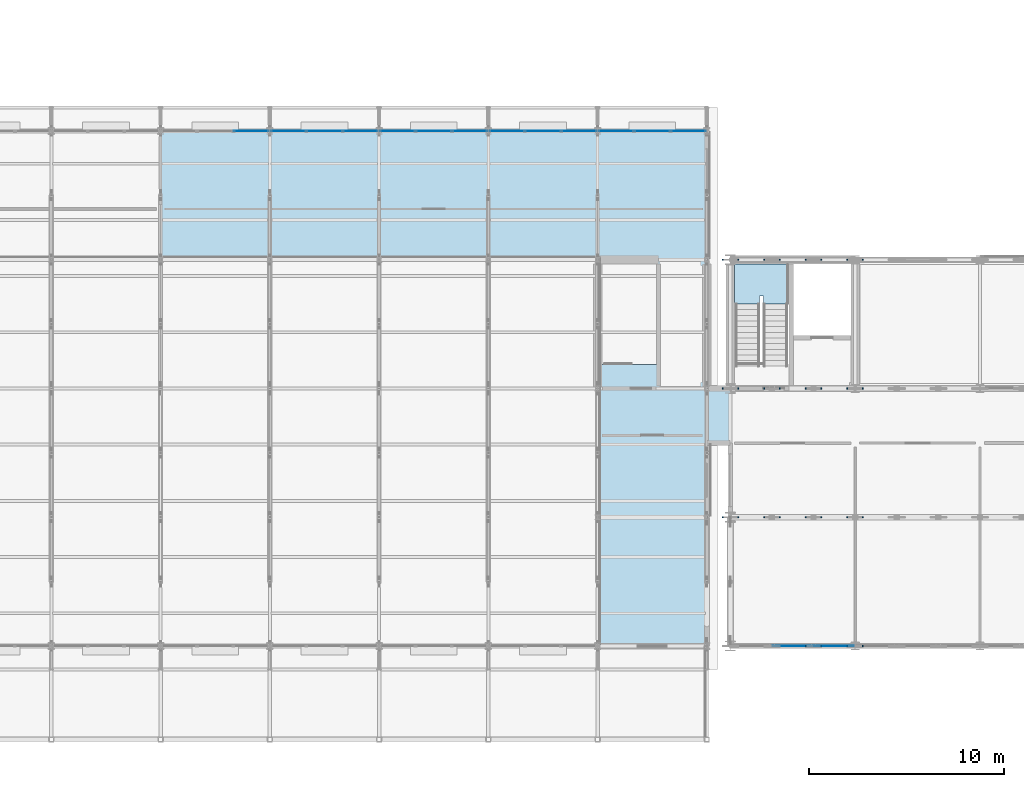
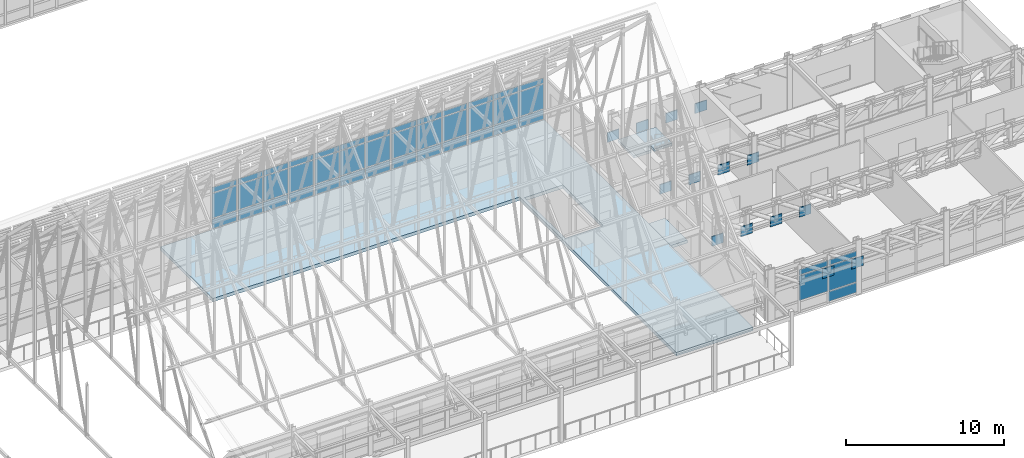
# One storey, part 93 of 144: 58 plates, 3 slabs, 7 elements without a shape of their own.
"""IFC4 building model written with IfcOpenShell, lengths in metres."""

import ifcopenshell
import ifcopenshell.guid

model = None  # the IFC model being written
_history = None  # IfcOwnerHistory: only IFC2X3 demands one
_inside = {}  # id of a spatial element -> (the spatial element, [elements in it])
_under = {}  # id of a project, library or spatial element -> (it, [spatial elements below it])
_declared = {}  # id of a project -> (the project, [libraries it declares])
_typed = {}  # id of a type object -> (the type object, [elements of that type])
_made_of = {}  # id of a material, layer set ... -> (it, [elements and type objects made of it])


def new_model(schema):
    """Start an empty IFC model of exactly this schema.

    Asked for "IFC4X3", IfcOpenShell would pick the latest addendum, in which some entities
    have other attributes; the version numbers below select the first issue.
    IFC2X3 requires an IfcOwnerHistory on every rooted entity: one is made here for all.
    """
    global model, _history
    if schema == "IFC4X3":
        model = ifcopenshell.file(schema_version=(4, 3, 0, 0))
    else:
        model = ifcopenshell.file(schema=schema)
    _inside.clear()
    _under.clear()
    _declared.clear()
    _typed.clear()
    _made_of.clear()
    _history = None
    if model.schema == "IFC2X3":
        org = make("IfcOrganization", Name="unknown")
        user = make(
            "IfcPersonAndOrganization",
            ThePerson=make("IfcPerson", FamilyName="unknown"),
            TheOrganization=org,
        )
        app = make(
            "IfcApplication",
            ApplicationDeveloper=org,
            Version="unknown",
            ApplicationFullName="unknown",
            ApplicationIdentifier="unknown",
        )
        _history = make(
            "IfcOwnerHistory",
            OwningUser=user,
            OwningApplication=app,
            ChangeAction="ADDED",
            CreationDate=0,
        )
    return model


def make(cls, **values):
    """One entity of the class cls with the attributes given. An attribute that is None is left unset."""
    return model.create_entity(
        cls, **{name: value for name, value in values.items() if value is not None}
    )


def rooted(cls, **values):
    """An entity with a GlobalId (a new one), such as an element, a storey or a relation."""
    return make(cls, GlobalId=ifcopenshell.guid.new(), OwnerHistory=_history, **values)


def si_unit(unit_type, name, prefix=None):
    """IfcSIUnit, for example si_unit("LENGTHUNIT", "METRE", prefix="MILLI")."""
    return make("IfcSIUnit", UnitType=unit_type, Prefix=prefix, Name=name)


def assignment(units):
    """IfcUnitAssignment: the units of a project."""
    return None if units is None else make("IfcUnitAssignment", Units=units)


def point(xyz):
    """IfcCartesianPoint."""
    return None if xyz is None else make("IfcCartesianPoint", Coordinates=xyz)


def direction(xyz):
    """IfcDirection."""
    return None if xyz is None else make("IfcDirection", DirectionRatios=xyz)


def frame(location, z_axis=None, x_axis=None):
    """IfcAxis2Placement3D, a coordinate frame: its origin and axes. An axis left out is left unset."""
    return make(
        "IfcAxis2Placement3D",
        Location=point(location),
        Axis=direction(z_axis),
        RefDirection=direction(x_axis),
    )


def frame_2d(location, x_axis=None):
    """IfcAxis2Placement2D, a coordinate frame in the plane: its origin and x axis."""
    return make(
        "IfcAxis2Placement2D", Location=point(location), RefDirection=direction(x_axis)
    )


def origin():
    """The frame at (0, 0, 0) with its axes left unset."""
    return frame((0.0, 0.0, 0.0))


def origin_2d():
    """The frame at (0, 0) in the plane with its x axis left unset."""
    return frame_2d((0.0, 0.0))


def place(relative_to, where):
    """IfcLocalPlacement: puts the frame where relative to a parent placement (None: the world)."""
    return make(
        "IfcLocalPlacement", PlacementRelTo=relative_to, RelativePlacement=where
    )


def context(
    kind, dimensions, precision=None, world=None, true_north=None, identifier=None
):
    """IfcGeometricRepresentationContext, for example the 3D "Model" context."""
    return make(
        "IfcGeometricRepresentationContext",
        ContextIdentifier=identifier,
        ContextType=kind,
        CoordinateSpaceDimension=dimensions,
        Precision=precision,
        WorldCoordinateSystem=world,
        TrueNorth=true_north,
    )


def subcontext(parent, identifier, kind, view, scale=None):
    """IfcGeometricRepresentationSubContext, for example "Body" below "Model"."""
    return make(
        "IfcGeometricRepresentationSubContext",
        ContextIdentifier=identifier,
        ContextType=kind,
        ParentContext=parent,
        TargetScale=scale,
        TargetView=view,
    )


def project(units=None, contexts=None):
    """IfcProject with its units and contexts."""
    return rooted(
        "IfcProject",
        Name="project",
        RepresentationContexts=contexts,
        UnitsInContext=assignment(units),
    )


def spatial(cls, under=None, at=None, **own):
    """A site, building, storey or space (cls), placed at a placement, below another one or the project."""
    s = rooted(cls, ObjectPlacement=at, **own)
    if under is not None:
        _under.setdefault(under.id(), (under, []))[1].append(s)
    return s


def polyline(points):
    """IfcPolyline through the points."""
    return make("IfcPolyline", Points=[point(p) for p in points])


def profile(cls, at=None, kind="AREA", **sizes):
    """A parametric profile (cls). Its sizes go by their IFC names, for example OverallWidth=200.0."""
    return make(cls, ProfileType=kind, Position=at, **sizes)


def rectangle(**sizes):
    """IfcRectangleProfileDef."""
    return profile("IfcRectangleProfileDef", **sizes)


def outline(outer, holes=None, kind="AREA"):
    """IfcArbitraryClosedProfileDef: a profile drawn as a closed curve; with holes, ...WithVoids."""
    if holes is None:
        return make("IfcArbitraryClosedProfileDef", ProfileType=kind, OuterCurve=outer)
    return make(
        "IfcArbitraryProfileDefWithVoids",
        ProfileType=kind,
        OuterCurve=outer,
        InnerCurves=holes,
    )


def extrude(swept, where, along, depth):
    """IfcExtrudedAreaSolid: the profile swept, set in the frame where, extruded along a direction by depth."""
    return make(
        "IfcExtrudedAreaSolid",
        SweptArea=swept,
        Position=where,
        ExtrudedDirection=direction(along),
        Depth=depth,
    )


def shape(context_of_items, identifier, shape_type, items):
    """IfcShapeRepresentation: the items that make up one representation, for example the "Body"."""
    return make(
        "IfcShapeRepresentation",
        ContextOfItems=context_of_items,
        RepresentationIdentifier=identifier,
        RepresentationType=shape_type,
        Items=items,
    )


def material(Name=None, Category=None):
    """IfcMaterial."""
    return make("IfcMaterial", Name=Name, Category=Category)


def layer(
    of_material, thickness, ventilated=None, Name=None, Category=None, Priority=None
):
    """IfcMaterialLayer: one layer of a wall or slab, of a material (None: an air gap)."""
    return make(
        "IfcMaterialLayer",
        Material=of_material,
        LayerThickness=thickness,
        IsVentilated=ventilated,
        Name=Name,
        Category=Category,
        Priority=Priority,
    )


def layer_set(layers, Name=None):
    """IfcMaterialLayerSet."""
    return make("IfcMaterialLayerSet", MaterialLayers=layers, LayerSetName=Name)


def made_of(thing, what):
    """Note that an element or type object is made of a material, layer set ...; save() writes the relation."""
    if what is not None:
        _made_of.setdefault(what.id(), (what, []))[1].append(thing)
    return thing


def type_object(cls, material=None, **own):
    """A type object (cls), such as IfcWallType, which elements share."""
    return made_of(rooted(cls, **own), material)


def element(
    cls,
    number,
    at=None,
    inside=None,
    cuts=None,
    type_object=None,
    material=None,
    context=None,
    identifier="Body",
    shape_type=None,
    held_by="IfcProductDefinitionShape",
    body=None,
    shapes=None,
    **own,
):
    """One element of the class cls, such as IfcWall. Its Tag is "e" and its number.

    at: its placement. inside: the storey or other place that contains it. cuts: it is an
    opening in that element (IfcRelVoidsElement). A single representation is given by context,
    identifier, shape_type and body (its items); several are given by shapes. held_by: the class
    of the entity that holds the representations. save() writes the other relations.
    """
    e = rooted(cls, Tag="e%d" % number, ObjectPlacement=at, **own)
    if body is not None:
        shapes = [shape(context, identifier, shape_type, body)]
    if shapes is not None:
        e.Representation = make(held_by, Representations=shapes)
    if inside is not None:
        _inside.setdefault(inside.id(), (inside, []))[1].append(e)
    if cuts is not None:
        rooted(
            "IfcRelVoidsElement", RelatingBuildingElement=cuts, RelatedOpeningElement=e
        )
    if type_object is not None:
        _typed.setdefault(type_object.id(), (type_object, []))[1].append(e)
    return made_of(e, material)


def aggregate(whole, parts):
    """IfcRelAggregates: a whole, such as a stair, and the parts it consists of."""
    return rooted("IfcRelAggregates", RelatingObject=whole, RelatedObjects=parts)


def save(model, path):
    """Write the relations noted so far, then the file.

    IfcRelAggregates (storeys below a building ...), IfcRelContainedInSpatialStructure (elements
    in a storey), IfcRelDefinesByType, IfcRelAssociatesMaterial and IfcRelDeclares: one each for
    every whole, place, type object, material and project.
    """
    for whole, parts in _under.values():
        aggregate(whole, parts)
    for where, things in _inside.values():
        rooted(
            "IfcRelContainedInSpatialStructure",
            RelatedElements=things,
            RelatingStructure=where,
        )
    for kind, things in _typed.values():
        rooted("IfcRelDefinesByType", RelatedObjects=things, RelatingType=kind)
    for what, things in _made_of.values():
        rooted("IfcRelAssociatesMaterial", RelatedObjects=things, RelatingMaterial=what)
    for by, libraries in _declared.values():
        rooted("IfcRelDeclares", RelatingContext=by, RelatedDefinitions=libraries)
    model.write(path)


model = new_model("IFC4")

# Units and contexts
model_context = context("Model", 3, precision=1e-05, world=origin(), true_north=direction((0.0, 1.0)))
body_context = subcontext(model_context, "Body", "Model", "MODEL_VIEW")
ifc_project = project(units=[si_unit("LENGTHUNIT", "METRE"), si_unit("AREAUNIT", "SQUARE_METRE"), si_unit("VOLUMEUNIT", "CUBIC_METRE"), si_unit("PLANEANGLEUNIT", "RADIAN"), si_unit("MASSUNIT", "GRAM", prefix="KILO")], contexts=[model_context])

# Site, building, storey
site_placement = place(None, origin())
site = spatial("IfcSite", under=ifc_project, at=site_placement, CompositionType="ELEMENT")
building_placement = place(site_placement, origin())
building = spatial("IfcBuilding", under=site, at=building_placement, Name="Trelmorton Wharf Fire Station", CompositionType="ELEMENT")
storey_placement = place(building_placement, frame((0.0, 0.0, 5.39990234375)))
storey = spatial("IfcBuildingStorey", under=building, at=storey_placement, Name="L01", CompositionType="ELEMENT", Elevation=5.39990234375)

# Curtain wall, plates
ifc_material_1 = material(Name="Anodised aluminium AW-6063", Category="aluminium")
ifc_layer_1 = layer(ifc_material_1, 0.175048828125)
ifc_layer_set_1 = layer_set([ifc_layer_1], Name="Anodised aluminium AW-6063")
curtain_wall_type_1 = type_object("IfcCurtainWallType", Name="CW_CHIC_B", PredefinedType="USERDEFINED", material=ifc_layer_set_1)
curtain_wall_1_placement = place(storey_placement, origin())
curtain_wall_1 = element("IfcCurtainWall", 1, at=curtain_wall_1_placement, inside=storey, type_object=curtain_wall_type_1, Name="CW-V1-L01-014", ObjectType="CHICAGO BAY CURTAIN WALL", PredefinedType="USERDEFINED")
ifc_material_2 = material(Name="Tempered low-E double glazing", Category="glass")
ifc_layer_2 = layer(ifc_material_2, 0.028076171875)
ifc_layer_set_2 = layer_set([ifc_layer_2], Name="Tempered low-E double glazing")
plate_type_1 = type_object("IfcPlateType", Name="CWP_GLAZ_28", PredefinedType="CURTAIN_PANEL", material=ifc_layer_set_2)
plate_1_placement = place(storey_placement, frame((33.4482421875, 34.199951171875, 0.06005859375), z_axis=(0.0, 0.0, 1.0), x_axis=(1.0, 0.0, 0.0)))
plate_1 = element("IfcPlate", 2, at=plate_1_placement, type_object=plate_type_1, Name="CW2 panel 3.1", PredefinedType="CURTAIN_PANEL", context=body_context, shape_type="SweptSolid", body=[
    extrude(rectangle(XDim=1.7734375, YDim=0.028076171875, at=origin_2d()), origin(), (0.0, 0.0, 1.0), 0.760009765625),
])
plate_2_placement = place(storey_placement, frame((33.4482421875, 34.199951171875, 0.88037109375), z_axis=(0.0, 0.0, 1.0), x_axis=(1.0, 0.0, 0.0)))
plate_2 = element("IfcPlate", 3, at=plate_2_placement, type_object=plate_type_1, Name="CW2 panel 3.2", PredefinedType="CURTAIN_PANEL", context=body_context, shape_type="SweptSolid", body=[
    extrude(rectangle(XDim=1.7734375, YDim=0.028076171875, at=origin_2d()), origin(), (0.0, 0.0, 1.0), 1.909912109375),
])
plate_3_placement = place(storey_placement, frame((33.4482421875, 34.199951171875, 2.85009765625), z_axis=(0.0, 0.0, 1.0), x_axis=(1.0, 0.0, 0.0)))
plate_3 = element("IfcPlate", 4, at=plate_3_placement, type_object=plate_type_1, Name="CW2 panel 3.3", PredefinedType="CURTAIN_PANEL", context=body_context, shape_type="SweptSolid", body=[
    extrude(rectangle(XDim=1.7734375, YDim=0.028076171875, at=origin_2d()), origin(), (0.0, 0.0, 1.0), 0.409912109375),
])
aggregate(curtain_wall_1, [plate_1, plate_2, plate_3])

curtain_wall_2_placement = place(storey_placement, origin())
curtain_wall_2 = element("IfcCurtainWall", 5, at=curtain_wall_2_placement, inside=storey, type_object=curtain_wall_type_1, Name="CW-V1-L01-016", ObjectType="CHICAGO BAY CURTAIN WALL", PredefinedType="USERDEFINED")
plate_4_placement = place(storey_placement, frame((40.95166015625, 34.199951171875, 0.06005859375), z_axis=(0.0, 0.0, 1.0), x_axis=(1.0, 0.0, 0.0)))
plate_4 = element("IfcPlate", 6, at=plate_4_placement, type_object=plate_type_1, Name="CW2 panel 1.1", PredefinedType="CURTAIN_PANEL", context=body_context, shape_type="SweptSolid", body=[
    extrude(rectangle(XDim=1.7734375, YDim=0.028076171875, at=origin_2d()), origin(), (0.0, 0.0, 1.0), 0.760009765625),
])
plate_5_placement = place(storey_placement, frame((40.95166015625, 34.199951171875, 0.88037109375), z_axis=(0.0, 0.0, 1.0), x_axis=(1.0, 0.0, 0.0)))
plate_5 = element("IfcPlate", 7, at=plate_5_placement, type_object=plate_type_1, Name="CW2 panel 1.2", PredefinedType="CURTAIN_PANEL", context=body_context, shape_type="SweptSolid", body=[
    extrude(rectangle(XDim=1.7734375, YDim=0.028076171875, at=origin_2d()), origin(), (0.0, 0.0, 1.0), 1.909912109375),
])
plate_6_placement = place(storey_placement, frame((40.95166015625, 34.199951171875, 2.85009765625), z_axis=(0.0, 0.0, 1.0), x_axis=(1.0, 0.0, 0.0)))
plate_6 = element("IfcPlate", 8, at=plate_6_placement, type_object=plate_type_1, Name="CW2 panel 1.3", PredefinedType="CURTAIN_PANEL", context=body_context, shape_type="SweptSolid", body=[
    extrude(rectangle(XDim=1.7734375, YDim=0.028076171875, at=origin_2d()), origin(), (0.0, 0.0, 1.0), 0.409912109375),
])
plate_7_placement = place(storey_placement, frame((42.800048828125, 34.199951171875, 0.06005859375), z_axis=(0.0, 0.0, 1.0), x_axis=(1.0, 0.0, 0.0)))
plate_7 = element("IfcPlate", 9, at=plate_7_placement, type_object=plate_type_1, Name="CW2 panel 2.1", PredefinedType="CURTAIN_PANEL", context=body_context, shape_type="SweptSolid", body=[
    extrude(rectangle(XDim=1.80322265625, YDim=0.028076171875, at=origin_2d()), origin(), (0.0, 0.0, 1.0), 0.760009765625),
])
plate_8_placement = place(storey_placement, frame((42.800048828125, 34.199951171875, 0.88037109375), z_axis=(0.0, 0.0, 1.0), x_axis=(1.0, 0.0, 0.0)))
plate_8 = element("IfcPlate", 10, at=plate_8_placement, type_object=plate_type_1, Name="CW2 panel 2.2", PredefinedType="CURTAIN_PANEL", context=body_context, shape_type="SweptSolid", body=[
    extrude(rectangle(XDim=1.80322265625, YDim=0.028076171875, at=origin_2d()), origin(), (0.0, 0.0, 1.0), 1.909912109375),
])
plate_9_placement = place(storey_placement, frame((42.800048828125, 34.199951171875, 2.85009765625), z_axis=(0.0, 0.0, 1.0), x_axis=(1.0, 0.0, 0.0)))
plate_9 = element("IfcPlate", 11, at=plate_9_placement, type_object=plate_type_1, Name="CW2 panel 2.3", PredefinedType="CURTAIN_PANEL", context=body_context, shape_type="SweptSolid", body=[
    extrude(rectangle(XDim=1.80322265625, YDim=0.028076171875, at=origin_2d()), origin(), (0.0, 0.0, 1.0), 0.409912109375),
])
plate_10_placement = place(storey_placement, frame((44.6484375, 34.199951171875, 0.06005859375), z_axis=(0.0, 0.0, 1.0), x_axis=(1.0, 0.0, 0.0)))
plate_10 = element("IfcPlate", 12, at=plate_10_placement, type_object=plate_type_1, Name="CW2 panel 3.1", PredefinedType="CURTAIN_PANEL", context=body_context, shape_type="SweptSolid", body=[
    extrude(rectangle(XDim=1.7734375, YDim=0.028076171875, at=origin_2d()), origin(), (0.0, 0.0, 1.0), 0.760009765625),
])
plate_11_placement = place(storey_placement, frame((44.6484375, 34.199951171875, 0.88037109375), z_axis=(0.0, 0.0, 1.0), x_axis=(1.0, 0.0, 0.0)))
plate_11 = element("IfcPlate", 13, at=plate_11_placement, type_object=plate_type_1, Name="CW2 panel 3.2", PredefinedType="CURTAIN_PANEL", context=body_context, shape_type="SweptSolid", body=[
    extrude(rectangle(XDim=1.7734375, YDim=0.028076171875, at=origin_2d()), origin(), (0.0, 0.0, 1.0), 1.909912109375),
])
plate_12_placement = place(storey_placement, frame((44.6484375, 34.199951171875, 2.85009765625), z_axis=(0.0, 0.0, 1.0), x_axis=(1.0, 0.0, 0.0)))
plate_12 = element("IfcPlate", 14, at=plate_12_placement, type_object=plate_type_1, Name="CW2 panel 3.3", PredefinedType="CURTAIN_PANEL", context=body_context, shape_type="SweptSolid", body=[
    extrude(rectangle(XDim=1.7734375, YDim=0.028076171875, at=origin_2d()), origin(), (0.0, 0.0, 1.0), 0.409912109375),
])
aggregate(curtain_wall_2, [plate_4, plate_5, plate_6, plate_7, plate_8, plate_9, plate_10, plate_11, plate_12])

curtain_wall_3_placement = place(storey_placement, origin())
curtain_wall_3 = element("IfcCurtainWall", 15, at=curtain_wall_3_placement, inside=storey, type_object=curtain_wall_type_1, Name="CW-V1-L01-017", ObjectType="CHICAGO BAY CURTAIN WALL", PredefinedType="USERDEFINED")
plate_13_placement = place(storey_placement, frame((46.5517578125, 34.199951171875, 0.06005859375), z_axis=(0.0, 0.0, 1.0), x_axis=(1.0, 0.0, 0.0)))
plate_13 = element("IfcPlate", 16, at=plate_13_placement, type_object=plate_type_1, Name="CW2 panel 1.1", PredefinedType="CURTAIN_PANEL", context=body_context, shape_type="SweptSolid", body=[
    extrude(rectangle(XDim=1.7734375, YDim=0.028076171875, at=origin_2d()), origin(), (0.0, 0.0, 1.0), 0.760009765625),
])
plate_14_placement = place(storey_placement, frame((46.5517578125, 34.199951171875, 0.88037109375), z_axis=(0.0, 0.0, 1.0), x_axis=(1.0, 0.0, 0.0)))
plate_14 = element("IfcPlate", 17, at=plate_14_placement, type_object=plate_type_1, Name="CW2 panel 1.2", PredefinedType="CURTAIN_PANEL", context=body_context, shape_type="SweptSolid", body=[
    extrude(rectangle(XDim=1.7734375, YDim=0.028076171875, at=origin_2d()), origin(), (0.0, 0.0, 1.0), 1.909912109375),
])
plate_15_placement = place(storey_placement, frame((46.5517578125, 34.199951171875, 2.85009765625), z_axis=(0.0, 0.0, 1.0), x_axis=(1.0, 0.0, 0.0)))
plate_15 = element("IfcPlate", 18, at=plate_15_placement, type_object=plate_type_1, Name="CW2 panel 1.3", PredefinedType="CURTAIN_PANEL", context=body_context, shape_type="SweptSolid", body=[
    extrude(rectangle(XDim=1.7734375, YDim=0.028076171875, at=origin_2d()), origin(), (0.0, 0.0, 1.0), 0.409912109375),
])
plate_16_placement = place(storey_placement, frame((48.39990234375, 34.199951171875, 0.06005859375), z_axis=(0.0, 0.0, 1.0), x_axis=(1.0, 0.0, 0.0)))
plate_16 = element("IfcPlate", 19, at=plate_16_placement, type_object=plate_type_1, Name="CW2 panel 2.1", PredefinedType="CURTAIN_PANEL", context=body_context, shape_type="SweptSolid", body=[
    extrude(rectangle(XDim=1.80322265625, YDim=0.028076171875, at=origin_2d()), origin(), (0.0, 0.0, 1.0), 0.760009765625),
])
plate_17_placement = place(storey_placement, frame((48.39990234375, 34.199951171875, 0.88037109375), z_axis=(0.0, 0.0, 1.0), x_axis=(1.0, 0.0, 0.0)))
plate_17 = element("IfcPlate", 20, at=plate_17_placement, type_object=plate_type_1, Name="CW2 panel 2.2", PredefinedType="CURTAIN_PANEL", context=body_context, shape_type="SweptSolid", body=[
    extrude(rectangle(XDim=1.80322265625, YDim=0.028076171875, at=origin_2d()), origin(), (0.0, 0.0, 1.0), 1.909912109375),
])
plate_18_placement = place(storey_placement, frame((48.39990234375, 34.199951171875, 2.85009765625), z_axis=(0.0, 0.0, 1.0), x_axis=(1.0, 0.0, 0.0)))
plate_18 = element("IfcPlate", 21, at=plate_18_placement, type_object=plate_type_1, Name="CW2 panel 2.3", PredefinedType="CURTAIN_PANEL", context=body_context, shape_type="SweptSolid", body=[
    extrude(rectangle(XDim=1.80322265625, YDim=0.028076171875, at=origin_2d()), origin(), (0.0, 0.0, 1.0), 0.409912109375),
])
plate_19_placement = place(storey_placement, frame((50.248291015625, 34.199951171875, 0.06005859375), z_axis=(0.0, 0.0, 1.0), x_axis=(1.0, 0.0, 0.0)))
plate_19 = element("IfcPlate", 22, at=plate_19_placement, type_object=plate_type_1, Name="CW2 panel 3.1", PredefinedType="CURTAIN_PANEL", context=body_context, shape_type="SweptSolid", body=[
    extrude(rectangle(XDim=1.7734375, YDim=0.028076171875, at=origin_2d()), origin(), (0.0, 0.0, 1.0), 0.760009765625),
])
plate_20_placement = place(storey_placement, frame((50.248291015625, 34.199951171875, 0.88037109375), z_axis=(0.0, 0.0, 1.0), x_axis=(1.0, 0.0, 0.0)))
plate_20 = element("IfcPlate", 23, at=plate_20_placement, type_object=plate_type_1, Name="CW2 panel 3.2", PredefinedType="CURTAIN_PANEL", context=body_context, shape_type="SweptSolid", body=[
    extrude(rectangle(XDim=1.7734375, YDim=0.028076171875, at=origin_2d()), origin(), (0.0, 0.0, 1.0), 1.909912109375),
])
plate_21_placement = place(storey_placement, frame((50.248291015625, 34.199951171875, 2.85009765625), z_axis=(0.0, 0.0, 1.0), x_axis=(1.0, 0.0, 0.0)))
plate_21 = element("IfcPlate", 24, at=plate_21_placement, type_object=plate_type_1, Name="CW2 panel 3.3", PredefinedType="CURTAIN_PANEL", context=body_context, shape_type="SweptSolid", body=[
    extrude(rectangle(XDim=1.7734375, YDim=0.028076171875, at=origin_2d()), origin(), (0.0, 0.0, 1.0), 0.409912109375),
])
aggregate(curtain_wall_3, [plate_13, plate_14, plate_15, plate_16, plate_17, plate_18, plate_19, plate_20, plate_21])

ifc_layer_3 = layer(ifc_material_1, 0.159912109375)
ifc_layer_set_3 = layer_set([ifc_layer_3], Name="Anodised aluminium AW-6063")
curtain_wall_type_2 = type_object("IfcCurtainWallType", Name="CW_CHIC_A", PredefinedType="USERDEFINED", material=ifc_layer_set_3)
curtain_wall_4_placement = place(storey_placement, origin())
curtain_wall_4 = element("IfcCurtainWall", 25, at=curtain_wall_4_placement, inside=storey, type_object=curtain_wall_type_2, Name="CW-V3-L01-022", ObjectType="CHICAGO BAY CURTAIN WALL", PredefinedType="USERDEFINED")
plate_22_placement = place(storey_placement, frame((63.31494140625, 7.800048828125, 0.06005859375), z_axis=(0.0, 0.0, 1.0), x_axis=(-1.0, 0.0, 0.0)))
plate_22 = element("IfcPlate", 26, at=plate_22_placement, type_object=plate_type_1, Name="CW1 panel 1.1", PredefinedType="CURTAIN_PANEL", context=body_context, shape_type="SweptSolid", body=[
    extrude(rectangle(XDim=2.0400390625, YDim=0.028076171875, at=origin_2d()), origin(), (0.0, 0.0, 1.0), 0.760009765625),
])
plate_23_placement = place(storey_placement, frame((63.31494140625, 7.800048828125, 0.88037109375), z_axis=(0.0, 0.0, 1.0), x_axis=(-1.0, 0.0, 0.0)))
plate_23 = element("IfcPlate", 27, at=plate_23_placement, type_object=plate_type_1, Name="CW1 panel 1.2", PredefinedType="CURTAIN_PANEL", context=body_context, shape_type="SweptSolid", body=[
    extrude(rectangle(XDim=2.0400390625, YDim=0.028076171875, at=origin_2d()), origin(), (0.0, 0.0, 1.0), 1.909912109375),
])
plate_24_placement = place(storey_placement, frame((63.31494140625, 7.800048828125, 2.85009765625), z_axis=(0.0, 0.0, 1.0), x_axis=(-1.0, 0.0, 0.0)))
plate_24 = element("IfcPlate", 28, at=plate_24_placement, type_object=plate_type_1, Name="CW1 panel 1.3", PredefinedType="CURTAIN_PANEL", context=body_context, shape_type="SweptSolid", body=[
    extrude(rectangle(XDim=2.0400390625, YDim=0.028076171875, at=origin_2d()), origin(), (0.0, 0.0, 1.0), 0.409912109375),
])
plate_25_placement = place(storey_placement, frame((61.199951171875, 7.800048828125, 0.88037109375), z_axis=(0.0, 0.0, 1.0), x_axis=(-1.0, 0.0, 0.0)))
plate_25 = element("IfcPlate", 29, at=plate_25_placement, type_object=plate_type_1, Name="CW1 panel 2.2", PredefinedType="CURTAIN_PANEL", context=body_context, shape_type="SweptSolid", body=[
    extrude(rectangle(XDim=2.070068359375, YDim=0.028076171875, at=origin_2d()), origin(), (0.0, 0.0, 1.0), 1.909912109375),
])
plate_26_placement = place(storey_placement, frame((61.199951171875, 7.800048828125, 2.85009765625), z_axis=(0.0, 0.0, 1.0), x_axis=(-1.0, 0.0, 0.0)))
plate_26 = element("IfcPlate", 30, at=plate_26_placement, type_object=plate_type_1, Name="CW1 panel 2.3", PredefinedType="CURTAIN_PANEL", context=body_context, shape_type="SweptSolid", body=[
    extrude(rectangle(XDim=2.070068359375, YDim=0.028076171875, at=origin_2d()), origin(), (0.0, 0.0, 1.0), 0.409912109375),
])
aggregate(curtain_wall_4, [plate_22, plate_23, plate_24, plate_25, plate_26])

curtain_wall_5_placement = place(storey_placement, origin())
curtain_wall_5 = element("IfcCurtainWall", 31, at=curtain_wall_5_placement, inside=storey, type_object=curtain_wall_type_1, Name="CW-V1-L01-015", ObjectType="CHICAGO BAY CURTAIN WALL", PredefinedType="USERDEFINED")
ifc_layer_4 = layer(ifc_material_2, 0.028076171875)
ifc_layer_set_4 = layer_set([ifc_layer_4], Name="Tempered low-E double glazing")
plate_type_2 = type_object("IfcPlateType", Name="CWP_GLAZ_38", PredefinedType="CURTAIN_PANEL", material=ifc_layer_set_4)
plate_27_placement = place(storey_placement, frame((35.3515625, 34.199951171875, 0.06005859375), z_axis=(0.0, 0.0, 1.0), x_axis=(1.0, 0.0, 0.0)))
plate_27 = element("IfcPlate", 32, at=plate_27_placement, type_object=plate_type_2, Name="CW2 panel 1.1", PredefinedType="CURTAIN_PANEL", context=body_context, shape_type="SweptSolid", body=[
    extrude(rectangle(XDim=1.7734375, YDim=0.028076171875, at=origin_2d()), origin(), (0.0, 0.0, 1.0), 0.760009765625),
])
plate_28_placement = place(storey_placement, frame((35.3515625, 34.199951171875, 0.88037109375), z_axis=(0.0, 0.0, 1.0), x_axis=(1.0, 0.0, 0.0)))
plate_28 = element("IfcPlate", 33, at=plate_28_placement, type_object=plate_type_2, Name="CW2 panel 1.2", PredefinedType="CURTAIN_PANEL", context=body_context, shape_type="SweptSolid", body=[
    extrude(rectangle(XDim=1.7734375, YDim=0.028076171875, at=origin_2d()), origin(), (0.0, 0.0, 1.0), 1.909912109375),
])
plate_29_placement = place(storey_placement, frame((35.3515625, 34.199951171875, 2.85009765625), z_axis=(0.0, 0.0, 1.0), x_axis=(1.0, 0.0, 0.0)))
plate_29 = element("IfcPlate", 34, at=plate_29_placement, type_object=plate_type_2, Name="CW2 panel 1.3", PredefinedType="CURTAIN_PANEL", context=body_context, shape_type="SweptSolid", body=[
    extrude(rectangle(XDim=1.7734375, YDim=0.028076171875, at=origin_2d()), origin(), (0.0, 0.0, 1.0), 0.409912109375),
])
plate_30_placement = place(storey_placement, frame((37.199951171875, 34.199951171875, 0.06005859375), z_axis=(0.0, 0.0, 1.0), x_axis=(1.0, 0.0, 0.0)))
plate_30 = element("IfcPlate", 35, at=plate_30_placement, type_object=plate_type_2, Name="CW2 panel 2.1", PredefinedType="CURTAIN_PANEL", context=body_context, shape_type="SweptSolid", body=[
    extrude(rectangle(XDim=1.80322265625, YDim=0.028076171875, at=origin_2d()), origin(), (0.0, 0.0, 1.0), 0.760009765625),
])
plate_31_placement = place(storey_placement, frame((37.199951171875, 34.199951171875, 0.88037109375), z_axis=(0.0, 0.0, 1.0), x_axis=(1.0, 0.0, 0.0)))
plate_31 = element("IfcPlate", 36, at=plate_31_placement, type_object=plate_type_2, Name="CW2 panel 2.2", PredefinedType="CURTAIN_PANEL", context=body_context, shape_type="SweptSolid", body=[
    extrude(rectangle(XDim=1.80322265625, YDim=0.028076171875, at=origin_2d()), origin(), (0.0, 0.0, 1.0), 1.909912109375),
])
plate_32_placement = place(storey_placement, frame((37.199951171875, 34.199951171875, 2.85009765625), z_axis=(0.0, 0.0, 1.0), x_axis=(1.0, 0.0, 0.0)))
plate_32 = element("IfcPlate", 37, at=plate_32_placement, type_object=plate_type_2, Name="CW2 panel 2.3", PredefinedType="CURTAIN_PANEL", context=body_context, shape_type="SweptSolid", body=[
    extrude(rectangle(XDim=1.80322265625, YDim=0.028076171875, at=origin_2d()), origin(), (0.0, 0.0, 1.0), 0.409912109375),
])
plate_33_placement = place(storey_placement, frame((39.04833984375, 34.199951171875, 0.06005859375), z_axis=(0.0, 0.0, 1.0), x_axis=(1.0, 0.0, 0.0)))
plate_33 = element("IfcPlate", 38, at=plate_33_placement, type_object=plate_type_2, Name="CW2 panel 3.1", PredefinedType="CURTAIN_PANEL", context=body_context, shape_type="SweptSolid", body=[
    extrude(rectangle(XDim=1.7734375, YDim=0.028076171875, at=origin_2d()), origin(), (0.0, 0.0, 1.0), 0.760009765625),
])
plate_34_placement = place(storey_placement, frame((39.04833984375, 34.199951171875, 0.88037109375), z_axis=(0.0, 0.0, 1.0), x_axis=(1.0, 0.0, 0.0)))
plate_34 = element("IfcPlate", 39, at=plate_34_placement, type_object=plate_type_2, Name="CW2 panel 3.2", PredefinedType="CURTAIN_PANEL", context=body_context, shape_type="SweptSolid", body=[
    extrude(rectangle(XDim=1.7734375, YDim=0.028076171875, at=origin_2d()), origin(), (0.0, 0.0, 1.0), 1.909912109375),
])
plate_35_placement = place(storey_placement, frame((39.04833984375, 34.199951171875, 2.85009765625), z_axis=(0.0, 0.0, 1.0), x_axis=(1.0, 0.0, 0.0)))
plate_35 = element("IfcPlate", 40, at=plate_35_placement, type_object=plate_type_2, Name="CW2 panel 3.3", PredefinedType="CURTAIN_PANEL", context=body_context, shape_type="SweptSolid", body=[
    extrude(rectangle(XDim=1.7734375, YDim=0.028076171875, at=origin_2d()), origin(), (0.0, 0.0, 1.0), 0.409912109375),
])
aggregate(curtain_wall_5, [plate_27, plate_28, plate_29, plate_30, plate_31, plate_32, plate_33, plate_34, plate_35])

curtain_wall_6_placement = place(storey_placement, origin())
curtain_wall_6 = element("IfcCurtainWall", 41, at=curtain_wall_6_placement, inside=storey, type_object=curtain_wall_type_1, Name="CW-V1-L01-018", ObjectType="CHICAGO BAY CURTAIN WALL", PredefinedType="USERDEFINED")
ifc_material_3 = material(Name="Ceramic-fritted spandrel glazing", Category="glass")
ifc_layer_5 = layer(ifc_material_3, 0.028076171875)
ifc_layer_set_5 = layer_set([ifc_layer_5], Name="Ceramic-fritted spandrel glazing")
plate_type_3 = type_object("IfcPlateType", Name="CWP_SPAN_48", PredefinedType="CURTAIN_PANEL", material=ifc_layer_set_5)
plate_36_placement = place(storey_placement, frame((52.151611328125, 34.199951171875, 0.06005859375), z_axis=(0.0, 0.0, 1.0), x_axis=(1.0, 0.0, 0.0)))
plate_36 = element("IfcPlate", 42, at=plate_36_placement, type_object=plate_type_3, Name="CW2 panel 1.1", PredefinedType="CURTAIN_PANEL", context=body_context, shape_type="SweptSolid", body=[
    extrude(rectangle(XDim=1.7734375, YDim=0.028076171875, at=origin_2d()), origin(), (0.0, 0.0, 1.0), 0.760009765625),
])
plate_37_placement = place(storey_placement, frame((52.151611328125, 34.199951171875, 0.88037109375), z_axis=(0.0, 0.0, 1.0), x_axis=(1.0, 0.0, 0.0)))
plate_37 = element("IfcPlate", 43, at=plate_37_placement, type_object=plate_type_3, Name="CW2 panel 1.2", PredefinedType="CURTAIN_PANEL", context=body_context, shape_type="SweptSolid", body=[
    extrude(rectangle(XDim=1.7734375, YDim=0.028076171875, at=origin_2d()), origin(), (0.0, 0.0, 1.0), 1.909912109375),
])
plate_38_placement = place(storey_placement, frame((52.151611328125, 34.199951171875, 2.85009765625), z_axis=(0.0, 0.0, 1.0), x_axis=(1.0, 0.0, 0.0)))
plate_38 = element("IfcPlate", 44, at=plate_38_placement, type_object=plate_type_3, Name="CW2 panel 1.3", PredefinedType="CURTAIN_PANEL", context=body_context, shape_type="SweptSolid", body=[
    extrude(rectangle(XDim=1.7734375, YDim=0.028076171875, at=origin_2d()), origin(), (0.0, 0.0, 1.0), 0.409912109375),
])
plate_39_placement = place(storey_placement, frame((54.0, 34.199951171875, 0.06005859375), z_axis=(0.0, 0.0, 1.0), x_axis=(1.0, 0.0, 0.0)))
plate_39 = element("IfcPlate", 45, at=plate_39_placement, type_object=plate_type_3, Name="CW2 panel 2.1", PredefinedType="CURTAIN_PANEL", context=body_context, shape_type="SweptSolid", body=[
    extrude(rectangle(XDim=1.80322265625, YDim=0.028076171875, at=origin_2d()), origin(), (0.0, 0.0, 1.0), 0.760009765625),
])
plate_40_placement = place(storey_placement, frame((54.0, 34.199951171875, 0.88037109375), z_axis=(0.0, 0.0, 1.0), x_axis=(1.0, 0.0, 0.0)))
plate_40 = element("IfcPlate", 46, at=plate_40_placement, type_object=plate_type_3, Name="CW2 panel 2.2", PredefinedType="CURTAIN_PANEL", context=body_context, shape_type="SweptSolid", body=[
    extrude(rectangle(XDim=1.80322265625, YDim=0.028076171875, at=origin_2d()), origin(), (0.0, 0.0, 1.0), 1.909912109375),
])
plate_41_placement = place(storey_placement, frame((54.0, 34.199951171875, 2.85009765625), z_axis=(0.0, 0.0, 1.0), x_axis=(1.0, 0.0, 0.0)))
plate_41 = element("IfcPlate", 47, at=plate_41_placement, type_object=plate_type_3, Name="CW2 panel 2.3", PredefinedType="CURTAIN_PANEL", context=body_context, shape_type="SweptSolid", body=[
    extrude(rectangle(XDim=1.80322265625, YDim=0.028076171875, at=origin_2d()), origin(), (0.0, 0.0, 1.0), 0.409912109375),
])
plate_42_placement = place(storey_placement, frame((55.848388671875, 34.199951171875, 0.06005859375), z_axis=(0.0, 0.0, 1.0), x_axis=(1.0, 0.0, 0.0)))
plate_42 = element("IfcPlate", 48, at=plate_42_placement, type_object=plate_type_3, Name="CW2 panel 3.1", PredefinedType="CURTAIN_PANEL", context=body_context, shape_type="SweptSolid", body=[
    extrude(rectangle(XDim=1.7734375, YDim=0.028076171875, at=origin_2d()), origin(), (0.0, 0.0, 1.0), 0.760009765625),
])
plate_43_placement = place(storey_placement, frame((55.848388671875, 34.199951171875, 0.88037109375), z_axis=(0.0, 0.0, 1.0), x_axis=(1.0, 0.0, 0.0)))
plate_43 = element("IfcPlate", 49, at=plate_43_placement, type_object=plate_type_3, Name="CW2 panel 3.2", PredefinedType="CURTAIN_PANEL", context=body_context, shape_type="SweptSolid", body=[
    extrude(rectangle(XDim=1.7734375, YDim=0.028076171875, at=origin_2d()), origin(), (0.0, 0.0, 1.0), 1.909912109375),
])
plate_44_placement = place(storey_placement, frame((55.848388671875, 34.199951171875, 2.85009765625), z_axis=(0.0, 0.0, 1.0), x_axis=(1.0, 0.0, 0.0)))
plate_44 = element("IfcPlate", 50, at=plate_44_placement, type_object=plate_type_3, Name="CW2 panel 3.3", PredefinedType="CURTAIN_PANEL", context=body_context, shape_type="SweptSolid", body=[
    extrude(rectangle(XDim=1.7734375, YDim=0.028076171875, at=origin_2d()), origin(), (0.0, 0.0, 1.0), 0.409912109375),
])
aggregate(curtain_wall_6, [plate_36, plate_37, plate_38, plate_39, plate_40, plate_41, plate_42, plate_43, plate_44])

# Plates
ifc_material_4 = material(Name="Steel Grade 350", Category="steel")
ifc_layer_6 = layer(ifc_material_4, 0.06005859375)
ifc_layer_set_6 = layer_set([ifc_layer_6], Name="Steel Grade 350")
plate_type_4 = type_object("IfcPlateType", Name="PL_GUSSET_KTN1", PredefinedType="USERDEFINED", material=ifc_layer_set_6)
for number, where, z_axis, x_axis, name in (
    (51, (62.2666015625, 7.800048828125, 1.97509765625), (0.0, 0.0, 1.0), (1.0, 0.0, 0.0), "PL-KTN-0005"),
    (52, (64.39990234375, 7.800048828125, 1.97509765625), (0.0, 0.0, 1.0), (1.0, 0.0, 0.0), "PL-KTN-0007"),
    (53, (58.011962890625, 14.39990234375, 1.97509765625), (0.0, 0.0, 1.0), (1.0, 0.0, 0.0), "PL-KTN-0027"),
    (54, (60.13330078125, 14.39990234375, 1.97509765625), (0.0, 0.0, 1.0), (1.0, 0.0, 0.0), "PL-KTN-0029"),
    (55, (62.2666015625, 14.39990234375, 1.97509765625), (0.0, 0.0, 1.0), (1.0, 0.0, 0.0), "PL-KTN-0031"),
    (56, (64.39990234375, 14.39990234375, 1.97509765625), (0.0, 0.0, 1.0), (1.0, 0.0, 0.0), "PL-KTN-0033"),
    (57, (58.011962890625, 21.0, 1.97509765625), (0.0, 0.0, 1.0), (1.0, 0.0, 0.0), "PL-KTN-0053"),
    (58, (60.13330078125, 21.0, 1.97509765625), (0.0, 0.0, 1.0), (1.0, 0.0, 0.0), "PL-KTN-0055"),
    (59, (62.2666015625, 21.0, 1.97509765625), (0.0, 0.0, 1.0), (1.0, 0.0, 0.0), "PL-KTN-0057"),
    (60, (64.39990234375, 21.0, 1.97509765625), (0.0, 0.0, 1.0), (1.0, 0.0, 0.0), "PL-KTN-0059"),
    (61, (58.011962890625, 27.60009765625, 1.97509765625), (0.0, 0.0, 1.0), (1.0, 0.0, 0.0), "PL-KTN-0079"),
    (62, (60.13330078125, 27.60009765625, 1.97509765625), (0.0, 0.0, 1.0), (1.0, 0.0, 0.0), "PL-KTN-0081"),
    (63, (62.2666015625, 27.60009765625, 1.97509765625), (0.0, 0.0, 1.0), (1.0, 0.0, 0.0), "PL-KTN-0083"),
    (64, (64.39990234375, 27.60009765625, 1.97509765625), (0.0, 0.0, 1.0), (1.0, 0.0, 0.0), "PL-KTN-0085"),
):
    element("IfcPlate", number, at=place(storey_placement, frame(where, z_axis=z_axis, x_axis=x_axis)), inside=storey, type_object=plate_type_4, Name=name, ObjectType="GUSSET PLATE", PredefinedType="USERDEFINED", context=body_context, shape_type="SweptSolid", body=[
        extrude(rectangle(XDim=0.85009765625, YDim=0.06005859375, at=origin_2d()), origin(), (0.0, 0.0, 1.0), 0.75),
    ])

# Slabs
ifc_material_5 = material(Name="Concrete 40 MPa", Category="concrete")
ifc_layer_7 = layer(ifc_material_5, 0.22998046875)
ifc_layer_set_7 = layer_set([ifc_layer_7], Name="Concrete 40 MPa")
slab_type_1 = type_object("IfcSlabType", Name="SL_BRIDGE_230", PredefinedType="FLOOR", material=ifc_layer_set_7)
slab_1_placement = place(storey_placement, frame((0.0, 0.0, -0.22998046875)))
element("IfcSlab", 65, at=slab_1_placement, inside=storey, type_object=slab_type_1, Name="SL-BR1-FL", PredefinedType="FLOOR", context=body_context, shape_type="SweptSolid", body=[
    extrude(outline(polyline([(58.0, 18.199951171875), (58.0, 21.0), (56.800048828125, 21.0), (56.800048828125, 18.199951171875), (58.0, 18.199951171875)])), origin(), (0.0, 0.0, 1.0), 0.22998046875),
])
ifc_layer_8 = layer(ifc_material_5, 0.260009765625)
ifc_layer_set_8 = layer_set([ifc_layer_8], Name="Concrete 40 MPa")
slab_type_2 = type_object("IfcSlabType", Name="SL_FLOOR_260", PredefinedType="FLOOR", material=ifc_layer_set_8)
slab_2_placement = place(storey_placement, frame((0.0, 0.0, -0.260009765625)))
element("IfcSlab", 66, at=slab_2_placement, inside=storey, type_object=slab_type_2, Name="SL-V1-L01-005", PredefinedType="FLOOR", context=body_context, shape_type="SweptSolid", body=[
    extrude(outline(polyline([(56.800048828125, 34.199951171875), (56.800048828125, 7.800048828125), (51.199951171875, 7.800048828125), (51.199951171875, 27.60009765625), (28.800048828125, 27.60009765625), (28.800048828125, 34.199951171875), (56.800048828125, 34.199951171875)]), holes=[polyline([(51.419921875, 27.3798828125), (51.419921875, 22.239990234375), (54.2099609375, 22.239990234375), (54.2099609375, 27.3798828125), (51.419921875, 27.3798828125)])]), origin(), (0.0, 0.0, 1.0), 0.260009765625),
])

# Stair, slab
ifc_material_6 = material(Name="Precast concrete 45 MPa", Category="concrete")
stair_type = type_object("IfcStairType", Name="ST_DOG_420", PredefinedType="HALF_TURN_STAIR", material=ifc_material_6)
stair_placement = place(storey_placement, origin())
stair = element("IfcStair", 67, at=stair_placement, inside=storey, type_object=stair_type, Name="Escape Stair ST2-L01", PredefinedType="HALF_TURN_STAIR")
ifc_layer_9 = layer(ifc_material_6, 0.199951171875)
ifc_layer_set_9 = layer_set([ifc_layer_9], Name="Precast concrete 45 MPa")
slab_type_3 = type_object("IfcSlabType", Name="SL_LAND_180", PredefinedType="LANDING", material=ifc_layer_set_9)
slab_3_placement = place(storey_placement, frame((0.0, 0.0, 1.900146484375)))
slab_3 = element("IfcSlab", 68, at=slab_3_placement, type_object=slab_type_3, Name="ST2-L01 landing 1", PredefinedType="LANDING", context=body_context, shape_type="SweptSolid", body=[
    extrude(outline(polyline([(58.22509765625, 25.330078125), (59.5, 25.330078125), (59.5, 25.75), (59.699951171875, 25.75), (59.699951171875, 25.330078125), (61.0048828125, 25.330078125), (61.0048828125, 27.375), (58.22509765625, 27.375), (58.22509765625, 25.330078125)])), origin(), (0.0, 0.0, 1.0), 0.199951171875),
])
aggregate(stair, [slab_3])

save(model, "model.ifc")
